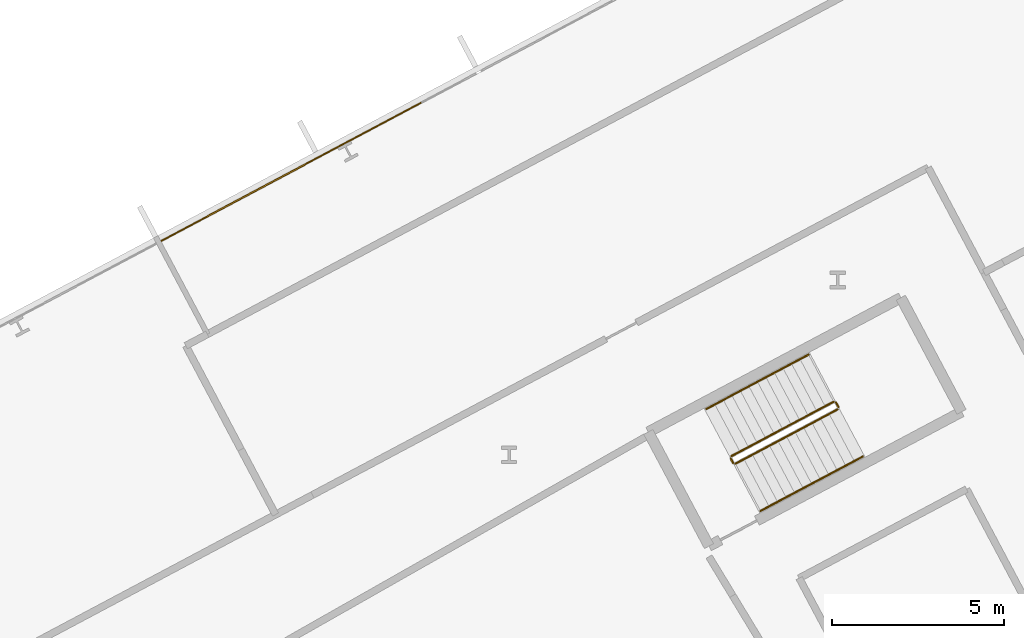
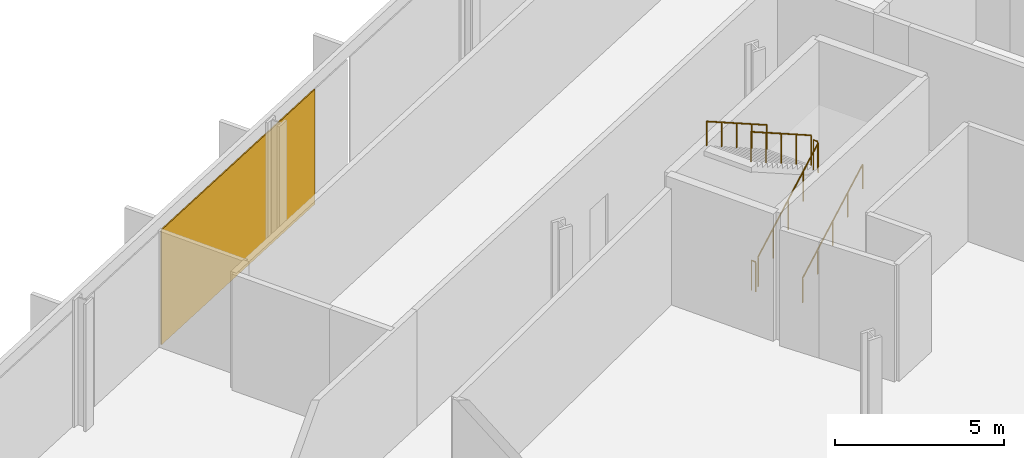
# One storey, part 29 of 30: 6 railings, 1 covering, 1 element without a shape of its own.
"""IFC4 building model written with IfcOpenShell, lengths in metres."""

from ifc_helpers import new_model, si_unit, direction, frame, origin, origin_2d, place, context, subcontext, project, spatial, polyline, rectangle, outline, extrude, material, layer, layer_set, type_object, element, aggregate, save


model = new_model("IFC4")

# Units and contexts
model_context = context("Model", 3, precision=1e-05, world=origin(), true_north=direction((0.0, 1.0)))
body_context = subcontext(model_context, "Body", "Model", "MODEL_VIEW")
ifc_project = project(units=[si_unit("LENGTHUNIT", "METRE"), si_unit("AREAUNIT", "SQUARE_METRE"), si_unit("VOLUMEUNIT", "CUBIC_METRE"), si_unit("PLANEANGLEUNIT", "RADIAN"), si_unit("MASSUNIT", "GRAM", prefix="KILO")], contexts=[model_context])

# Site, building, storey
site_placement = place(None, origin())
site = spatial("IfcSite", under=ifc_project, at=site_placement, CompositionType="ELEMENT")
building_placement = place(site_placement, origin())
building = spatial("IfcBuilding", under=site, at=building_placement, Name="Cormorant Relay Tower", CompositionType="ELEMENT")
storey_placement = place(building_placement, frame((0.0, 0.0, 89.199951171875)))
storey = spatial("IfcBuildingStorey", under=building, at=storey_placement, Name="L17", CompositionType="ELEMENT", Elevation=89.199951171875)

# Curtain wall, covering
ifc_material_1 = material(Name="Aluminium 6063-T6 anodised bronze", Category="aluminium")
ifc_layer_1 = layer(ifc_material_1, 0.199951171875)
ifc_layer_set_1 = layer_set([ifc_layer_1], Name="CW1 unitised bronze curtain wall with vertical fins")
curtain_wall_type = type_object("IfcCurtainWallType", Name="CW1 unitised bronze curtain wall with vertical fins", PredefinedType="NOTDEFINED", material=ifc_layer_set_1)
curtain_wall_placement = place(storey_placement, origin())
curtain_wall = element("IfcCurtainWall", 1, at=curtain_wall_placement, inside=storey, type_object=curtain_wall_type, Name="CW1 curtain wall 6", PredefinedType="NOTDEFINED")
ifc_material_2 = material(Name="Pale bronze anodised aluminium insulated panel", Category="aluminium")
ifc_layer_2 = layer(ifc_material_2, 0.0400390625)
ifc_layer_set_2 = layer_set([ifc_layer_2], Name="CW1 pale bronze insulated panel 40")
covering_type = type_object("IfcCoveringType", Name="CW1 pale bronze insulated panel 40", PredefinedType="CLADDING", material=ifc_layer_set_2)
covering_placement = place(storey_placement, frame((31.69140625, 40.6572265625, 0.0), z_axis=(0.0, 0.0, 1.0), x_axis=(-0.882947592859, -0.469471562786, 0.0)))
covering = element("IfcCovering", 2, at=covering_placement, type_object=covering_type, Name="CW1 panel S04", PredefinedType="CLADDING", context=body_context, shape_type="SweptSolid", body=[
    extrude(rectangle(XDim=8.565185546875, YDim=0.0400390625, at=origin_2d()), origin(), (0.0, 0.0, 1.0), 4.14990234375),
])
aggregate(curtain_wall, [covering])

# Railings
ifc_material_3 = material(Name="Steel ASTM A572 Grade 50 (Fy 345 MPa)", Category="steel")
railing_type_1 = type_object("IfcRailingType", Name="Stair guard 1100", PredefinedType="GUARDRAIL", material=ifc_material_3)
railing_1_placement = place(storey_placement, frame((44.583740234375, 32.186279296875, 0.177001953125)))
element("IfcRailing", 3, at=railing_1_placement, inside=storey, type_object=railing_type_1, Name="L17 RB1 stair guard 1", PredefinedType="GUARDRAIL", context=body_context, shape_type="SweptSolid", body=[
    extrude(outline(polyline([(0.022216796875, 0.00927734375), (0.00927734375, 0.022216796875), (-0.00927734375, 0.022216796875), (-0.022216796875, 0.00927734375), (-0.022216796875, -0.00927734375), (-0.00927734375, -0.022216796875), (0.00927734375, -0.022216796875), (0.022216796875, -0.00927734375), (0.022216796875, 0.00927734375)])), frame((0.0, 0.0, 1.076171875), z_axis=(0.746422470992, 0.396920836698, 0.534141689248), x_axis=(-0.469509342547, 0.882927503967, 0.0)), (0.0, 0.0, 1.0), 3.974609375),
    extrude(outline(polyline([(0.019287109375, 0.008056640625), (0.008056640625, 0.019287109375), (-0.008056640625, 0.019287109375), (-0.019287109375, 0.008056640625), (-0.019287109375, -0.008056640625), (-0.008056640625, -0.019287109375), (0.008056640625, -0.019287109375), (0.019287109375, -0.008056640625), (0.019287109375, 0.008056640625)])), origin(), (0.0, 0.0, 1.0), 1.052001953125),
    extrude(outline(polyline([(0.019287109375, 0.008056640625), (0.008056640625, 0.019287109375), (-0.008056640625, 0.019287109375), (-0.019287109375, 0.008056640625), (-0.019287109375, -0.008056640625), (-0.008056640625, -0.019287109375), (0.008056640625, -0.019287109375), (0.019287109375, -0.008056640625), (0.019287109375, 0.008056640625)])), frame((0.74169921875, 0.39453125, 0.53076171875)), (0.0, 0.0, 1.0), 1.052001953125),
    extrude(outline(polyline([(0.019287109375, 0.008056640625), (0.008056640625, 0.019287109375), (-0.008056640625, 0.019287109375), (-0.019287109375, 0.008056640625), (-0.019287109375, -0.008056640625), (-0.008056640625, -0.019287109375), (0.008056640625, -0.019287109375), (0.019287109375, -0.008056640625), (0.019287109375, 0.008056640625)])), frame((1.4833984375, 0.788818359375, 1.0615234375)), (0.0, 0.0, 1.0), 1.052001953125),
    extrude(outline(polyline([(0.019287109375, 0.008056640625), (0.008056640625, 0.019287109375), (-0.008056640625, 0.019287109375), (-0.019287109375, 0.008056640625), (-0.019287109375, -0.008056640625), (-0.008056640625, -0.019287109375), (0.008056640625, -0.019287109375), (0.019287109375, -0.008056640625), (0.019287109375, 0.008056640625)])), frame((2.22509765625, 1.18310546875, 1.59228515625)), (0.0, 0.0, 1.0), 1.052001953125),
    extrude(outline(polyline([(0.019287109375, 0.008056640625), (0.008056640625, 0.019287109375), (-0.008056640625, 0.019287109375), (-0.019287109375, 0.008056640625), (-0.019287109375, -0.008056640625), (-0.008056640625, -0.019287109375), (0.008056640625, -0.019287109375), (0.019287109375, -0.008056640625), (0.019287109375, 0.008056640625)])), frame((2.966796875, 1.57763671875, 2.123046875)), (0.0, 0.0, 1.0), 1.052001953125),
])
railing_2_placement = place(storey_placement, frame((47.571044921875, 33.831298828125, 2.300048828125)))
element("IfcRailing", 4, at=railing_2_placement, inside=storey, type_object=railing_type_1, Name="L17 RB1 stair guard 2", PredefinedType="GUARDRAIL", context=body_context, shape_type="SweptSolid", body=[
    extrude(outline(polyline([(0.022216796875, 0.00927734375), (0.00927734375, 0.022216796875), (-0.00927734375, 0.022216796875), (-0.022216796875, 0.00927734375), (-0.022216796875, -0.00927734375), (-0.00927734375, -0.022216796875), (0.00927734375, -0.022216796875), (0.022216796875, -0.00927734375), (0.022216796875, 0.00927734375)])), frame((0.0, 0.0, 1.076171875), z_axis=(-0.46856034887, 0.8834314911, 0.0), x_axis=(-0.8834314911, -0.46856034887, 0.0)), (0.0, 0.0, 1.0), 0.150146484375),
    extrude(outline(polyline([(0.019287109375, 0.008056640625), (0.008056640625, 0.019287109375), (-0.008056640625, 0.019287109375), (-0.019287109375, 0.008056640625), (-0.019287109375, -0.008056640625), (-0.008056640625, -0.019287109375), (0.008056640625, -0.019287109375), (0.019287109375, -0.008056640625), (0.019287109375, 0.008056640625)])), origin(), (0.0, 0.0, 1.0), 1.052001953125),
    extrude(outline(polyline([(0.019287109375, 0.008056640625), (0.008056640625, 0.019287109375), (-0.008056640625, 0.019287109375), (-0.019287109375, 0.008056640625), (-0.019287109375, -0.008056640625), (-0.008056640625, -0.019287109375), (0.008056640625, -0.019287109375), (0.019287109375, -0.008056640625), (0.019287109375, 0.008056640625)])), frame((-0.0703125, 0.132568359375, 0.0)), (0.0, 0.0, 1.0), 1.052001953125),
])
railing_3_placement = place(storey_placement, frame((47.43310546875, 33.984619140625, 2.47705078125)))
element("IfcRailing", 5, at=railing_3_placement, inside=storey, type_object=railing_type_1, Name="L17 RB1 stair guard 3", PredefinedType="GUARDRAIL", context=body_context, shape_type="SweptSolid", body=[
    extrude(outline(polyline([(0.022216796875, 0.00927734375), (0.00927734375, 0.022216796875), (-0.00927734375, 0.022216796875), (-0.022216796875, 0.00927734375), (-0.022216796875, -0.00927734375), (-0.00927734375, -0.022216796875), (0.00927734375, -0.022216796875), (0.022216796875, -0.00927734375), (0.022216796875, 0.00927734375)])), frame((0.0, 0.0, 1.076171875), z_axis=(-0.746440668329, -0.396869088057, 0.534154711306), x_axis=(0.46945269911, -0.882957622595, 0.0)), (0.0, 0.0, 1.0), 3.974609375),
    extrude(outline(polyline([(0.019287109375, 0.008056640625), (0.008056640625, 0.019287109375), (-0.008056640625, 0.019287109375), (-0.019287109375, 0.008056640625), (-0.019287109375, -0.008056640625), (-0.008056640625, -0.019287109375), (0.008056640625, -0.019287109375), (0.019287109375, -0.008056640625), (0.019287109375, 0.008056640625)])), origin(), (0.0, 0.0, 1.0), 1.052001953125),
    extrude(outline(polyline([(0.019287109375, 0.008056640625), (0.008056640625, 0.019287109375), (-0.008056640625, 0.019287109375), (-0.019287109375, 0.008056640625), (-0.019287109375, -0.008056640625), (-0.008056640625, -0.019287109375), (0.008056640625, -0.019287109375), (0.019287109375, -0.008056640625), (0.019287109375, 0.008056640625)])), frame((-0.74169921875, -0.394287109375, 0.53076171875)), (0.0, 0.0, 1.0), 1.052001953125),
    extrude(outline(polyline([(0.019287109375, 0.008056640625), (0.008056640625, 0.019287109375), (-0.008056640625, 0.019287109375), (-0.019287109375, 0.008056640625), (-0.019287109375, -0.008056640625), (-0.008056640625, -0.019287109375), (0.008056640625, -0.019287109375), (0.019287109375, -0.008056640625), (0.019287109375, 0.008056640625)])), frame((-1.4833984375, -0.78857421875, 1.0615234375)), (0.0, 0.0, 1.0), 1.052001953125),
    extrude(outline(polyline([(0.019287109375, 0.008056640625), (0.008056640625, 0.019287109375), (-0.008056640625, 0.019287109375), (-0.019287109375, 0.008056640625), (-0.019287109375, -0.008056640625), (-0.008056640625, -0.019287109375), (0.008056640625, -0.019287109375), (0.019287109375, -0.008056640625), (0.019287109375, 0.008056640625)])), frame((-2.22509765625, -1.18310546875, 1.59228515625)), (0.0, 0.0, 1.0), 1.052001953125),
    extrude(outline(polyline([(0.019287109375, 0.008056640625), (0.008056640625, 0.019287109375), (-0.008056640625, 0.019287109375), (-0.019287109375, 0.008056640625), (-0.019287109375, -0.008056640625), (-0.008056640625, -0.019287109375), (0.008056640625, -0.019287109375), (0.019287109375, -0.008056640625), (0.019287109375, 0.008056640625)])), frame((-2.966796875, -1.577392578125, 2.123046875)), (0.0, 0.0, 1.0), 1.052001953125),
])
railing_4_placement = place(storey_placement, frame((44.51611328125, 32.20703125, 0.0)))
element("IfcRailing", 6, at=railing_4_placement, inside=storey, type_object=railing_type_1, Name="L17 RB1 stair guard 4", PredefinedType="GUARDRAIL", context=body_context, shape_type="SweptSolid", body=[
    extrude(outline(polyline([(0.022216796875, 0.00927734375), (0.00927734375, 0.022216796875), (-0.00927734375, 0.022216796875), (-0.022216796875, 0.00927734375), (-0.022216796875, -0.00927734375), (-0.00927734375, -0.022216796875), (0.00927734375, -0.022216796875), (0.022216796875, -0.00927734375), (0.022216796875, 0.00927734375)])), frame((0.0, 0.0, 1.076171875), z_axis=(-0.46856034887, 0.8834314911, 0.0), x_axis=(-0.8834314911, -0.46856034887, 0.0)), (0.0, 0.0, 1.0), 0.150146484375),
    extrude(outline(polyline([(0.019287109375, 0.008056640625), (0.008056640625, 0.019287109375), (-0.008056640625, 0.019287109375), (-0.019287109375, 0.008056640625), (-0.019287109375, -0.008056640625), (-0.008056640625, -0.019287109375), (0.008056640625, -0.019287109375), (0.019287109375, -0.008056640625), (0.019287109375, 0.008056640625)])), origin(), (0.0, 0.0, 1.0), 1.052001953125),
    extrude(outline(polyline([(0.019287109375, 0.008056640625), (0.008056640625, 0.019287109375), (-0.008056640625, 0.019287109375), (-0.019287109375, 0.008056640625), (-0.019287109375, -0.008056640625), (-0.008056640625, -0.019287109375), (0.008056640625, -0.019287109375), (0.019287109375, -0.008056640625), (0.019287109375, 0.008056640625)])), frame((-0.0703125, 0.132568359375, 0.0)), (0.0, 0.0, 1.0), 1.052001953125),
])
ifc_material_4 = material(Name="Steel ASTM A572 Grade 50 (Fy 345 MPa)", Category="steel")
railing_type_2 = type_object("IfcRailingType", Name="Stair handrail 900", PredefinedType="HANDRAIL", material=ifc_material_4)
railing_5_placement = place(storey_placement, frame((45.3115234375, 30.81787109375, 0.177001953125)))
element("IfcRailing", 7, at=railing_5_placement, inside=storey, type_object=railing_type_2, Name="L17 RB1 stair handrail 1", PredefinedType="HANDRAIL", context=body_context, shape_type="SweptSolid", body=[
    extrude(outline(polyline([(0.022216796875, 0.00927734375), (0.00927734375, 0.022216796875), (-0.00927734375, 0.022216796875), (-0.022216796875, 0.00927734375), (-0.022216796875, -0.00927734375), (-0.00927734375, -0.022216796875), (0.00927734375, -0.022216796875), (0.022216796875, -0.00927734375), (0.022216796875, 0.00927734375)])), frame((0.0, 0.0, 0.8759765625), z_axis=(0.746413465702, 0.396887285154, 0.534179203172), x_axis=(-0.469482818608, 0.88294160794, 0.0)), (0.0, 0.0, 1.0), 3.974365234375),
    extrude(outline(polyline([(0.019287109375, 0.008056640625), (0.008056640625, 0.019287109375), (-0.008056640625, 0.019287109375), (-0.019287109375, 0.008056640625), (-0.019287109375, -0.008056640625), (-0.008056640625, -0.019287109375), (0.008056640625, -0.019287109375), (0.019287109375, -0.008056640625), (0.019287109375, 0.008056640625)])), origin(), (0.0, 0.0, 1.0), 0.851806640625),
    extrude(outline(polyline([(0.019287109375, 0.008056640625), (0.008056640625, 0.019287109375), (-0.008056640625, 0.019287109375), (-0.019287109375, 0.008056640625), (-0.019287109375, -0.008056640625), (-0.008056640625, -0.019287109375), (0.008056640625, -0.019287109375), (0.019287109375, -0.008056640625), (0.019287109375, 0.008056640625)])), frame((0.74169921875, 0.394287109375, 0.53076171875)), (0.0, 0.0, 1.0), 0.851806640625),
    extrude(outline(polyline([(0.019287109375, 0.008056640625), (0.008056640625, 0.019287109375), (-0.008056640625, 0.019287109375), (-0.019287109375, 0.008056640625), (-0.019287109375, -0.008056640625), (-0.008056640625, -0.019287109375), (0.008056640625, -0.019287109375), (0.019287109375, -0.008056640625), (0.019287109375, 0.008056640625)])), frame((1.4833984375, 0.78857421875, 1.0615234375)), (0.0, 0.0, 1.0), 0.851806640625),
    extrude(outline(polyline([(0.019287109375, 0.008056640625), (0.008056640625, 0.019287109375), (-0.008056640625, 0.019287109375), (-0.019287109375, 0.008056640625), (-0.019287109375, -0.008056640625), (-0.008056640625, -0.019287109375), (0.008056640625, -0.019287109375), (0.019287109375, -0.008056640625), (0.019287109375, 0.008056640625)])), frame((2.224853515625, 1.18310546875, 1.59228515625)), (0.0, 0.0, 1.0), 0.851806640625),
    extrude(outline(polyline([(0.019287109375, 0.008056640625), (0.008056640625, 0.019287109375), (-0.008056640625, 0.019287109375), (-0.019287109375, 0.008056640625), (-0.019287109375, -0.008056640625), (-0.008056640625, -0.019287109375), (0.008056640625, -0.019287109375), (0.019287109375, -0.008056640625), (0.019287109375, 0.008056640625)])), frame((2.966552734375, 1.577392578125, 2.123046875)), (0.0, 0.0, 1.0), 0.851806640625),
])
railing_6_placement = place(storey_placement, frame((46.705322265625, 35.35302734375, 2.47705078125)))
element("IfcRailing", 8, at=railing_6_placement, inside=storey, type_object=railing_type_2, Name="L17 RB1 stair handrail 2", PredefinedType="HANDRAIL", context=body_context, shape_type="SweptSolid", body=[
    extrude(outline(polyline([(0.022216796875, 0.00927734375), (0.00927734375, 0.022216796875), (-0.00927734375, 0.022216796875), (-0.022216796875, 0.00927734375), (-0.022216796875, -0.00927734375), (-0.00927734375, -0.022216796875), (0.00927734375, -0.022216796875), (0.022216796875, -0.00927734375), (0.022216796875, 0.00927734375)])), frame((0.0, 0.0, 0.8759765625), z_axis=(-0.746413465702, -0.396887285154, 0.534179203172), x_axis=(0.469482818608, -0.88294160794, 0.0)), (0.0, 0.0, 1.0), 3.974365234375),
    extrude(outline(polyline([(0.019287109375, 0.008056640625), (0.008056640625, 0.019287109375), (-0.008056640625, 0.019287109375), (-0.019287109375, 0.008056640625), (-0.019287109375, -0.008056640625), (-0.008056640625, -0.019287109375), (0.008056640625, -0.019287109375), (0.019287109375, -0.008056640625), (0.019287109375, 0.008056640625)])), origin(), (0.0, 0.0, 1.0), 0.851806640625),
    extrude(outline(polyline([(0.019287109375, 0.008056640625), (0.008056640625, 0.019287109375), (-0.008056640625, 0.019287109375), (-0.019287109375, 0.008056640625), (-0.019287109375, -0.008056640625), (-0.008056640625, -0.019287109375), (0.008056640625, -0.019287109375), (0.019287109375, -0.008056640625), (0.019287109375, 0.008056640625)])), frame((-0.74169921875, -0.394287109375, 0.53076171875)), (0.0, 0.0, 1.0), 0.851806640625),
    extrude(outline(polyline([(0.019287109375, 0.008056640625), (0.008056640625, 0.019287109375), (-0.008056640625, 0.019287109375), (-0.019287109375, 0.008056640625), (-0.019287109375, -0.008056640625), (-0.008056640625, -0.019287109375), (0.008056640625, -0.019287109375), (0.019287109375, -0.008056640625), (0.019287109375, 0.008056640625)])), frame((-1.4833984375, -0.78857421875, 1.0615234375)), (0.0, 0.0, 1.0), 0.851806640625),
    extrude(outline(polyline([(0.019287109375, 0.008056640625), (0.008056640625, 0.019287109375), (-0.008056640625, 0.019287109375), (-0.019287109375, 0.008056640625), (-0.019287109375, -0.008056640625), (-0.008056640625, -0.019287109375), (0.008056640625, -0.019287109375), (0.019287109375, -0.008056640625), (0.019287109375, 0.008056640625)])), frame((-2.224853515625, -1.18310546875, 1.59228515625)), (0.0, 0.0, 1.0), 0.851806640625),
    extrude(outline(polyline([(0.019287109375, 0.008056640625), (0.008056640625, 0.019287109375), (-0.008056640625, 0.019287109375), (-0.019287109375, 0.008056640625), (-0.019287109375, -0.008056640625), (-0.008056640625, -0.019287109375), (0.008056640625, -0.019287109375), (0.019287109375, -0.008056640625), (0.019287109375, 0.008056640625)])), frame((-2.966552734375, -1.577392578125, 2.123046875)), (0.0, 0.0, 1.0), 0.851806640625),
])

save(model, "model.ifc")
